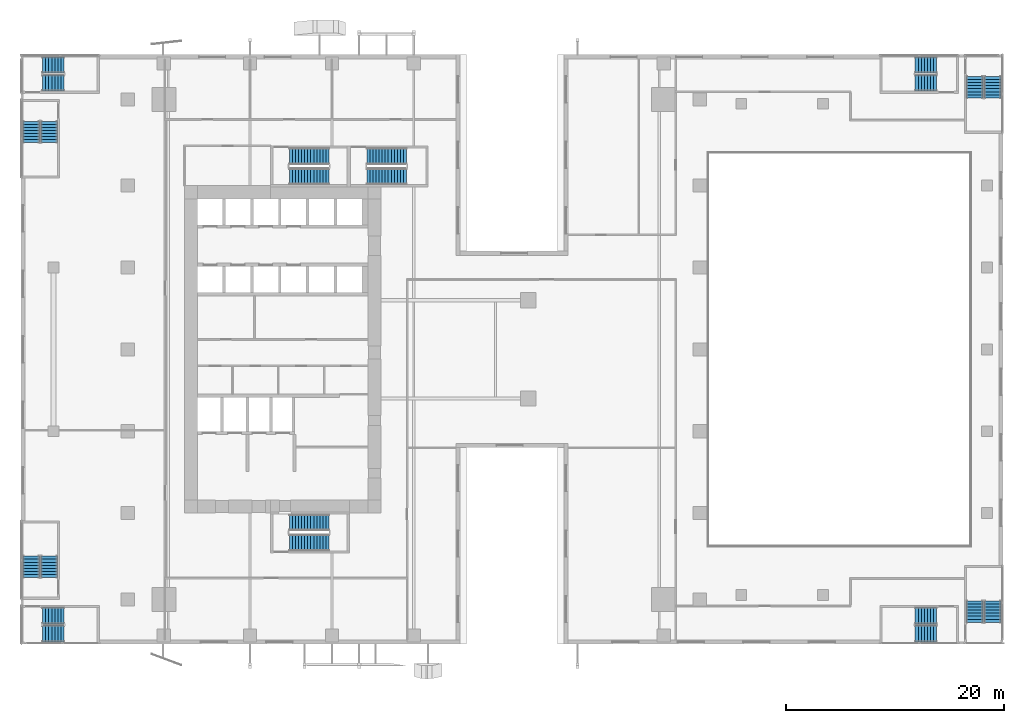
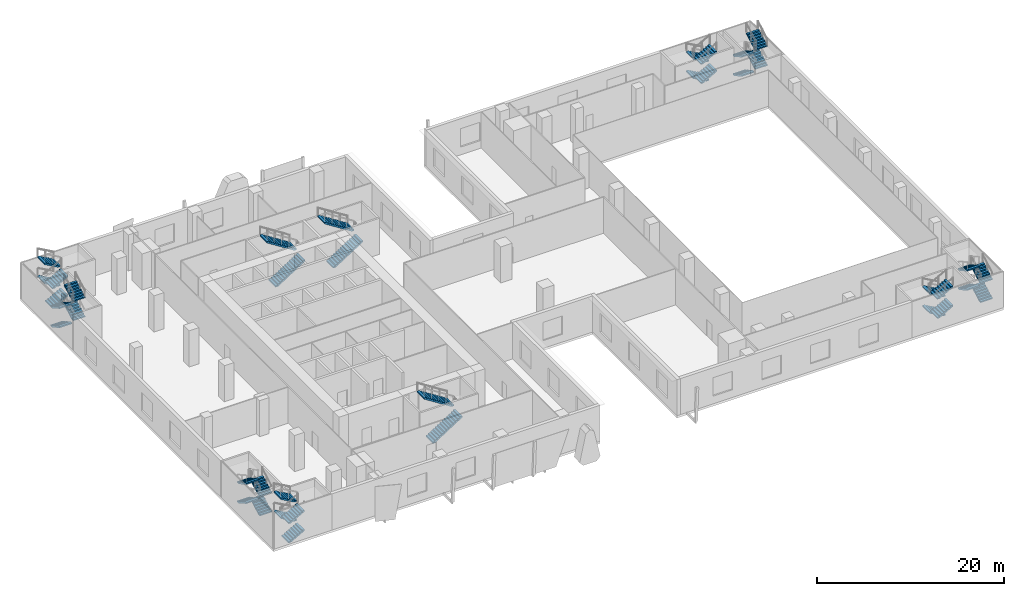
# One storey, part 15 of 22: 38 stair flights, 11 elements without a shape of their own.
"""IFC4 building model written with IfcOpenShell, lengths in metres."""

from ifc_helpers import new_model, si_unit, direction, frame, origin, place, context, subcontext, project, spatial, polyline, outline, extrude, source, transform, mapped, material, type_object, element, aggregate, save


model = new_model("IFC4")

# Units and contexts
model_context = context("Model", 3, precision=1e-05, world=origin(), true_north=direction((0.0, 1.0)))
body_context = subcontext(model_context, "Body", "Model", "MODEL_VIEW")
ifc_project = project(units=[si_unit("LENGTHUNIT", "METRE"), si_unit("AREAUNIT", "SQUARE_METRE"), si_unit("VOLUMEUNIT", "CUBIC_METRE"), si_unit("PLANEANGLEUNIT", "RADIAN"), si_unit("MASSUNIT", "GRAM", prefix="KILO")], contexts=[model_context])

# Site, building, storey
site_placement = place(None, origin())
site = spatial("IfcSite", under=ifc_project, at=site_placement, CompositionType="ELEMENT")
building_placement = place(site_placement, origin())
building = spatial("IfcBuilding", under=site, at=building_placement, Name="Khomas Fold Tower", CompositionType="ELEMENT")
storey_placement = place(building_placement, frame((0.0, 0.0, 23.5)))
storey = spatial("IfcBuildingStorey", under=building, at=storey_placement, Name="L04", CompositionType="ELEMENT", Elevation=23.5)

# Stair, stair flights
ifc_material_1 = material(Name="Concrete C40/50", Category="concrete")
stair_type_1 = type_object("IfcStairType", Name="Stair ST1", PredefinedType="HALF_TURN_STAIR", material=ifc_material_1)
stair_1_placement = place(storey_placement, origin())
stair_1 = element("IfcStair", 1, at=stair_1_placement, inside=storey, type_object=stair_type_1, Name="L04 ST1", PredefinedType="HALF_TURN_STAIR")
ifc_material_2 = material(Name="Concrete C40/50", Category="concrete")
stair_flight_type_1 = type_object("IfcStairFlightType", Name="Stair flight 1500 ST1", PredefinedType="STRAIGHT", material=ifc_material_2)
shared_shape_1 = source(origin(), body_context, "Body", "SweptSolid", [
    extrude(outline(polyline([(0.0, 0.0), (0.0, 0.013671875), (0.0, 0.027587890625), (0.0, 0.041259765625), (0.0, 0.054931640625), (0.0, 0.068603515625), (0.0, 0.08251953125), (0.0, 0.09619140625), (0.0, 0.10986328125), (0.0, 0.12353515625), (0.0, 0.137451171875), (0.0, 0.151123046875), (0.0, 0.164794921875), (0.0, 0.178466796875), (0.280029296875, 0.178466796875), (0.280029296875, 0.357177734375), (0.56005859375, 0.357177734375), (0.56005859375, 0.53564453125), (0.840087890625, 0.53564453125), (0.840087890625, 0.71435546875), (1.1201171875, 0.71435546875), (1.1201171875, 0.892822265625), (1.39990234375, 0.892822265625), (1.39990234375, 1.071533203125), (1.679931640625, 1.071533203125), (1.679931640625, 1.25), (1.9599609375, 1.25), (1.9599609375, 1.428466796875), (2.239990234375, 1.428466796875), (2.239990234375, 1.607177734375), (2.52001953125, 1.607177734375), (2.52001953125, 1.78564453125), (2.800048828125, 1.78564453125), (2.800048828125, 1.96435546875), (3.080078125, 1.96435546875), (3.080078125, 2.142822265625), (3.360107421875, 2.142822265625), (3.360107421875, 2.321533203125), (3.639892578125, 2.321533203125), (3.639892578125, 2.5), (3.639892578125, 2.47265625), (3.639892578125, 2.445068359375), (3.639892578125, 2.417724609375), (3.639892578125, 2.390380859375), (3.639892578125, 2.363037109375), (3.639892578125, 2.33544921875), (3.639892578125, 2.30810546875), (3.639892578125, 2.28076171875), (3.639892578125, 2.253173828125), (3.639892578125, 2.225830078125), (3.639892578125, 2.198486328125), (3.639892578125, 2.171142578125), (3.639892578125, 2.1435546875), (0.27880859375, 0.0), (0.0, 0.0)])), frame((0.0, 0.75, 0.0), z_axis=(0.0, -1.0, 0.0), x_axis=(1.0, 0.0, 0.0)), (0.0, 0.0, 1.0), 1.5),
])
stair_flight_1_placement = place(storey_placement, frame((15.60009765625, 42.85009765625, 0.0), z_axis=(0.0, 0.0, 1.0), x_axis=(1.0, 0.0, 0.0)))
stair_flight_1 = element("IfcStairFlight", 2, at=stair_flight_1_placement, type_object=stair_flight_type_1, Name="ST1 flight 1", NumberOfRisers=14, NumberOfTreads=13, PredefinedType="STRAIGHT", RiserHeight=0.178571429, TreadLength=0.28, context=body_context, shape_type="MappedRepresentation", body=[
    mapped(shared_shape_1, transform((0.0, 0.0, 0.0))),
])
stair_flight_2_placement = place(storey_placement, frame((19.239990234375, 44.699951171875, 2.5), z_axis=(0.0, 0.0, 1.0), x_axis=(-1.0, 0.0, 0.0)))
stair_flight_2 = element("IfcStairFlight", 3, at=stair_flight_2_placement, type_object=stair_flight_type_1, Name="ST1 flight 2", NumberOfRisers=14, NumberOfTreads=13, PredefinedType="STRAIGHT", RiserHeight=0.178571429, TreadLength=0.28, context=body_context, shape_type="MappedRepresentation", body=[
    mapped(shared_shape_1, transform((0.0, 0.0, 0.0))),
])
aggregate(stair_1, [stair_flight_1, stair_flight_2])

ifc_material_3 = material(Name="Concrete C40/50", Category="concrete")
stair_type_2 = type_object("IfcStairType", Name="Stair ST2", PredefinedType="HALF_TURN_STAIR", material=ifc_material_3)
stair_2_placement = place(storey_placement, origin())
stair_2 = element("IfcStair", 4, at=stair_2_placement, inside=storey, type_object=stair_type_2, Name="L04 ST2", PredefinedType="HALF_TURN_STAIR")
ifc_material_4 = material(Name="Concrete C40/50", Category="concrete")
stair_flight_type_2 = type_object("IfcStairFlightType", Name="Stair flight 1500 ST2", PredefinedType="STRAIGHT", material=ifc_material_4)
stair_flight_3_placement = place(storey_placement, frame((15.60009765625, 9.300048828125, 0.0), z_axis=(0.0, 0.0, 1.0), x_axis=(1.0, 0.0, 0.0)))
stair_flight_3 = element("IfcStairFlight", 5, at=stair_flight_3_placement, type_object=stair_flight_type_2, Name="ST2 flight 1", NumberOfRisers=14, NumberOfTreads=13, PredefinedType="STRAIGHT", RiserHeight=0.178571429, TreadLength=0.28, context=body_context, shape_type="MappedRepresentation", body=[
    mapped(shared_shape_1, transform((0.0, 0.0, 0.0))),
])
stair_flight_4_placement = place(storey_placement, frame((19.239990234375, 11.14990234375, 2.5), z_axis=(0.0, 0.0, 1.0), x_axis=(-1.0, 0.0, 0.0)))
stair_flight_4 = element("IfcStairFlight", 6, at=stair_flight_4_placement, type_object=stair_flight_type_2, Name="ST2 flight 2", NumberOfRisers=14, NumberOfTreads=13, PredefinedType="STRAIGHT", RiserHeight=0.178571429, TreadLength=0.28, context=body_context, shape_type="MappedRepresentation", body=[
    mapped(shared_shape_1, transform((0.0, 0.0, 0.0))),
])
aggregate(stair_2, [stair_flight_3, stair_flight_4])

ifc_material_5 = material(Name="Concrete C40/50", Category="concrete")
stair_type_3 = type_object("IfcStairType", Name="Stair ST3", PredefinedType="HALF_TURN_STAIR", material=ifc_material_5)
stair_3_placement = place(storey_placement, origin())
stair_3 = element("IfcStair", 7, at=stair_3_placement, inside=storey, type_object=stair_type_3, Name="L04 ST3", PredefinedType="HALF_TURN_STAIR")
ifc_material_6 = material(Name="Concrete C40/50", Category="concrete")
stair_flight_type_3 = type_object("IfcStairFlightType", Name="Stair flight 1500 ST3", PredefinedType="STRAIGHT", material=ifc_material_6)
stair_flight_5_placement = place(storey_placement, frame((22.699951171875, 42.85009765625, 0.0), z_axis=(0.0, 0.0, 1.0), x_axis=(1.0, 0.0, 0.0)))
stair_flight_5 = element("IfcStairFlight", 8, at=stair_flight_5_placement, type_object=stair_flight_type_3, Name="ST3 flight 1", NumberOfRisers=14, NumberOfTreads=13, PredefinedType="STRAIGHT", RiserHeight=0.178571429, TreadLength=0.28, context=body_context, shape_type="MappedRepresentation", body=[
    mapped(shared_shape_1, transform((0.0, 0.0, 0.0))),
])
stair_flight_6_placement = place(storey_placement, frame((26.340087890625, 44.699951171875, 2.5), z_axis=(0.0, 0.0, 1.0), x_axis=(-1.0, 0.0, 0.0)))
stair_flight_6 = element("IfcStairFlight", 9, at=stair_flight_6_placement, type_object=stair_flight_type_3, Name="ST3 flight 2", NumberOfRisers=14, NumberOfTreads=13, PredefinedType="STRAIGHT", RiserHeight=0.178571429, TreadLength=0.28, context=body_context, shape_type="MappedRepresentation", body=[
    mapped(shared_shape_1, transform((0.0, 0.0, 0.0))),
])
aggregate(stair_3, [stair_flight_5, stair_flight_6])

ifc_material_7 = material(Name="Concrete C40/50", Category="concrete")
stair_type_4 = type_object("IfcStairType", Name="Stair PS1", PredefinedType="HALF_TURN_STAIR", material=ifc_material_7)
stair_4_placement = place(storey_placement, origin())
stair_4 = element("IfcStair", 10, at=stair_4_placement, inside=storey, type_object=stair_type_4, Name="L04 PS1", PredefinedType="HALF_TURN_STAIR")
ifc_material_8 = material(Name="Concrete C40/50", Category="concrete")
stair_flight_type_4 = type_object("IfcStairFlightType", Name="Stair flight 1500 PS1", PredefinedType="STRAIGHT", material=ifc_material_8)
shared_shape_2 = source(origin(), body_context, "Body", "SweptSolid", [
    extrude(outline(polyline([(0.0, 0.0), (0.0, 0.001220703125), (0.0, 0.002685546875), (0.0, 0.00390625), (0.0, 0.005126953125), (0.0, 0.00634765625), (0.0, 0.0078125), (0.0, 0.009033203125), (0.0, 0.01025390625), (0.0, 0.01171875), (0.0, 0.012939453125), (0.0, 0.01416015625), (0.0, 0.015380859375), (0.0, 0.016845703125), (0.0, 0.01806640625), (0.0, 0.019287109375), (0.0, 0.020751953125), (0.0, 0.02197265625), (0.0, 0.023193359375), (0.0, 0.0244140625), (0.0, 0.02587890625), (0.0, 0.027099609375), (0.0, 0.0283203125), (0.0, 0.02978515625), (0.0, 0.031005859375), (0.0, 0.0322265625), (0.0, 0.03369140625), (0.0, 0.034912109375), (0.0, 0.0361328125), (0.0, 0.037353515625), (0.0, 0.038818359375), (0.0, 0.0400390625), (0.0, 0.041259765625), (0.0, 0.042724609375), (0.0, 0.0439453125), (0.0, 0.045166015625), (0.0, 0.04638671875), (0.0, 0.0478515625), (0.0, 0.049072265625), (0.0, 0.05029296875), (0.0, 0.0517578125), (0.0, 0.052978515625), (0.0, 0.05419921875), (0.0, 0.055419921875), (0.0, 0.056884765625), (0.0, 0.05810546875), (0.0, 0.059326171875), (0.0, 0.060791015625), (0.0, 0.06201171875), (0.0, 0.063232421875), (0.0, 0.064453125), (0.0, 0.06591796875), (0.0, 0.067138671875), (0.0, 0.068359375), (0.0, 0.06982421875), (0.0, 0.071044921875), (0.0, 0.072265625), (0.0, 0.073486328125), (0.0, 0.074951171875), (0.0, 0.076171875), (0.0, 0.077392578125), (0.0, 0.078857421875), (0.0, 0.080078125), (0.0, 0.081298828125), (0.0, 0.082763671875), (0.0, 0.083984375), (0.0, 0.085205078125), (0.0, 0.08642578125), (0.0, 0.087890625), (0.0, 0.089111328125), (0.0, 0.09033203125), (0.0, 0.091796875), (0.0, 0.093017578125), (0.0, 0.09423828125), (0.0, 0.095458984375), (0.0, 0.096923828125), (0.0, 0.09814453125), (0.0, 0.099365234375), (0.0, 0.100830078125), (0.0, 0.10205078125), (0.0, 0.103271484375), (0.0, 0.1044921875), (0.0, 0.10595703125), (0.0, 0.107177734375), (0.0, 0.1083984375), (0.0, 0.10986328125), (0.0, 0.111083984375), (0.0, 0.1123046875), (0.0, 0.113525390625), (0.0, 0.114990234375), (0.0, 0.1162109375), (0.0, 0.117431640625), (0.0, 0.118896484375), (0.0, 0.1201171875), (0.0, 0.121337890625), (0.0, 0.12255859375), (0.0, 0.1240234375), (0.0, 0.125244140625), (0.0, 0.12646484375), (0.0, 0.1279296875), (0.0, 0.129150390625), (0.0, 0.13037109375), (0.0, 0.1318359375), (0.0, 0.133056640625), (0.0, 0.13427734375), (0.0, 0.135498046875), (0.0, 0.136962890625), (0.0, 0.13818359375), (0.0, 0.139404296875), (0.0, 0.140869140625), (0.0, 0.14208984375), (0.0, 0.143310546875), (0.0, 0.14453125), (0.0, 0.14599609375), (0.0, 0.147216796875), (0.0, 0.1484375), (0.0, 0.14990234375), (0.0, 0.151123046875), (0.0, 0.15234375), (0.0, 0.153564453125), (0.0, 0.155029296875), (0.0, 0.15625), (0.280029296875, 0.15625), (0.280029296875, 0.3125), (0.56005859375, 0.3125), (0.56005859375, 0.46875), (0.840087890625, 0.46875), (0.840087890625, 0.625), (1.1201171875, 0.625), (1.1201171875, 0.78125), (1.39990234375, 0.78125), (1.39990234375, 0.9375), (1.679931640625, 0.9375), (1.679931640625, 1.09375), (1.9599609375, 1.09375), (1.9599609375, 1.25), (1.9599609375, 1.247314453125), (1.9599609375, 1.24462890625), (1.9599609375, 1.241943359375), (1.9599609375, 1.2392578125), (1.9599609375, 1.236328125), (1.9599609375, 1.233642578125), (1.9599609375, 1.23095703125), (1.9599609375, 1.228271484375), (1.9599609375, 1.2255859375), (1.9599609375, 1.222900390625), (1.9599609375, 1.22021484375), (1.9599609375, 1.217529296875), (1.9599609375, 1.21484375), (1.9599609375, 1.212158203125), (1.9599609375, 1.209228515625), (1.9599609375, 1.20654296875), (1.9599609375, 1.203857421875), (1.9599609375, 1.201171875), (1.9599609375, 1.198486328125), (1.9599609375, 1.19580078125), (1.9599609375, 1.193115234375), (1.9599609375, 1.1904296875), (1.9599609375, 1.187744140625), (1.9599609375, 1.18505859375), (1.9599609375, 1.18212890625), (1.9599609375, 1.179443359375), (1.9599609375, 1.1767578125), (1.9599609375, 1.174072265625), (1.9599609375, 1.17138671875), (1.9599609375, 1.168701171875), (1.9599609375, 1.166015625), (1.9599609375, 1.163330078125), (1.9599609375, 1.16064453125), (1.9599609375, 1.157958984375), (1.9599609375, 1.155029296875), (1.9599609375, 1.15234375), (1.9599609375, 1.149658203125), (1.9599609375, 1.14697265625), (1.9599609375, 1.144287109375), (1.9599609375, 1.1416015625), (1.9599609375, 1.138916015625), (1.9599609375, 1.13623046875), (1.9599609375, 1.133544921875), (1.9599609375, 1.130859375), (1.9599609375, 1.1279296875), (1.9599609375, 1.125244140625), (1.9599609375, 1.12255859375), (1.9599609375, 1.119873046875), (1.9599609375, 1.1171875), (1.9599609375, 1.114501953125), (1.9599609375, 1.11181640625), (1.9599609375, 1.109130859375), (1.9599609375, 1.1064453125), (1.9599609375, 1.103759765625), (1.9599609375, 1.100830078125), (1.9599609375, 1.09814453125), (1.9599609375, 1.095458984375), (1.9599609375, 1.0927734375), (1.9599609375, 1.090087890625), (1.9599609375, 1.08740234375), (1.9599609375, 1.084716796875), (1.9599609375, 1.08203125), (1.9599609375, 1.079345703125), (1.9599609375, 1.07666015625), (1.9599609375, 1.07373046875), (1.9599609375, 1.071044921875), (1.9599609375, 1.068359375), (1.9599609375, 1.065673828125), (1.9599609375, 1.06298828125), (1.9599609375, 1.060302734375), (1.9599609375, 1.0576171875), (1.9599609375, 1.054931640625), (1.9599609375, 1.05224609375), (1.9599609375, 1.049560546875), (1.9599609375, 1.046630859375), (1.9599609375, 1.0439453125), (1.9599609375, 1.041259765625), (1.9599609375, 1.03857421875), (1.9599609375, 1.035888671875), (1.9599609375, 1.033203125), (1.9599609375, 1.030517578125), (1.9599609375, 1.02783203125), (1.9599609375, 1.025146484375), (1.9599609375, 1.0224609375), (1.9599609375, 1.01953125), (1.9599609375, 1.016845703125), (1.9599609375, 1.01416015625), (1.9599609375, 1.011474609375), (1.9599609375, 1.0087890625), (1.9599609375, 1.006103515625), (1.9599609375, 1.00341796875), (1.9599609375, 1.000732421875), (1.9599609375, 0.998046875), (1.9599609375, 0.995361328125), (1.9599609375, 0.992431640625), (1.9599609375, 0.98974609375), (1.9599609375, 0.987060546875), (1.9599609375, 0.984375), (1.9599609375, 0.981689453125), (1.9599609375, 0.97900390625), (1.9599609375, 0.976318359375), (1.9599609375, 0.9736328125), (1.9599609375, 0.970947265625), (1.9599609375, 0.96826171875), (1.9599609375, 0.96533203125), (1.9599609375, 0.962646484375), (1.9599609375, 0.9599609375), (1.9599609375, 0.957275390625), (1.9599609375, 0.95458984375), (1.9599609375, 0.951904296875), (1.9599609375, 0.94921875), (1.9599609375, 0.946533203125), (1.9599609375, 0.94384765625), (1.9599609375, 0.941162109375), (1.9599609375, 0.938232421875), (1.9599609375, 0.935546875), (1.9599609375, 0.932861328125), (1.9599609375, 0.93017578125), (1.9599609375, 0.927490234375), (1.9599609375, 0.9248046875), (1.9599609375, 0.922119140625), (0.3076171875, 0.0), (0.0, 0.0)])), frame((0.0, 0.75, 0.0), z_axis=(0.0, -1.0, 0.0), x_axis=(1.0, 0.0, 0.0)), (0.0, 0.0, 1.0), 1.5),
])
stair_flight_7_placement = place(storey_placement, frame((-7.0, 0.949951171875, 0.0), z_axis=(0.0, 0.0, 1.0), x_axis=(1.0, 0.0, 0.0)))
stair_flight_7 = element("IfcStairFlight", 11, at=stair_flight_7_placement, type_object=stair_flight_type_4, Name="PS1 flight 1", NumberOfRisers=8, NumberOfTreads=7, PredefinedType="STRAIGHT", RiserHeight=0.15625, TreadLength=0.28, context=body_context, shape_type="MappedRepresentation", body=[
    mapped(shared_shape_2, transform((0.0, 0.0, 0.0))),
])
stair_flight_8_placement = place(storey_placement, frame((-5.0400390625, 2.60009765625, 1.25), z_axis=(0.0, 0.0, 1.0), x_axis=(-1.0, 0.0, 0.0)))
stair_flight_8 = element("IfcStairFlight", 12, at=stair_flight_8_placement, type_object=stair_flight_type_4, Name="PS1 flight 2", NumberOfRisers=8, NumberOfTreads=7, PredefinedType="STRAIGHT", RiserHeight=0.15625, TreadLength=0.28, context=body_context, shape_type="MappedRepresentation", body=[
    mapped(shared_shape_2, transform((0.0, 0.0, 0.0))),
])
stair_flight_9_placement = place(storey_placement, frame((-7.0, 0.949951171875, 2.5), z_axis=(0.0, 0.0, 1.0), x_axis=(1.0, 0.0, 0.0)))
stair_flight_9 = element("IfcStairFlight", 13, at=stair_flight_9_placement, type_object=stair_flight_type_4, Name="PS1 flight 3", NumberOfRisers=8, NumberOfTreads=7, PredefinedType="STRAIGHT", RiserHeight=0.15625, TreadLength=0.28, context=body_context, shape_type="MappedRepresentation", body=[
    mapped(shared_shape_2, transform((0.0, 0.0, 0.0))),
])
stair_flight_10_placement = place(storey_placement, frame((-5.0400390625, 2.60009765625, 3.75), z_axis=(0.0, 0.0, 1.0), x_axis=(-1.0, 0.0, 0.0)))
stair_flight_10 = element("IfcStairFlight", 14, at=stair_flight_10_placement, type_object=stair_flight_type_4, Name="PS1 flight 4", NumberOfRisers=8, NumberOfTreads=7, PredefinedType="STRAIGHT", RiserHeight=0.15625, TreadLength=0.28, context=body_context, shape_type="MappedRepresentation", body=[
    mapped(shared_shape_2, transform((0.0, 0.0, 0.0))),
])
aggregate(stair_4, [stair_flight_7, stair_flight_8, stair_flight_9, stair_flight_10])

ifc_material_9 = material(Name="Concrete C40/50", Category="concrete")
stair_type_5 = type_object("IfcStairType", Name="Stair PS2", PredefinedType="HALF_TURN_STAIR", material=ifc_material_9)
stair_5_placement = place(storey_placement, origin())
stair_5 = element("IfcStair", 15, at=stair_5_placement, inside=storey, type_object=stair_type_5, Name="L04 PS2", PredefinedType="HALF_TURN_STAIR")
ifc_material_10 = material(Name="Concrete C40/50", Category="concrete")
stair_flight_type_5 = type_object("IfcStairFlightType", Name="Stair flight 1500 PS2", PredefinedType="STRAIGHT", material=ifc_material_10)
stair_flight_11_placement = place(storey_placement, frame((-6.39990234375, 6.10009765625, 0.0), z_axis=(0.0, 0.0, 1.0), x_axis=(0.0, 1.0, 0.0)))
stair_flight_11 = element("IfcStairFlight", 16, at=stair_flight_11_placement, type_object=stair_flight_type_5, Name="PS2 flight 1", NumberOfRisers=8, NumberOfTreads=7, PredefinedType="STRAIGHT", RiserHeight=0.15625, TreadLength=0.28, context=body_context, shape_type="MappedRepresentation", body=[
    mapped(shared_shape_2, transform((0.0, 0.0, 0.0))),
])
stair_flight_12_placement = place(storey_placement, frame((-8.050048828125, 8.06005859375, 1.25), z_axis=(0.0, 0.0, 1.0), x_axis=(0.0, -1.0, 0.0)))
stair_flight_12 = element("IfcStairFlight", 17, at=stair_flight_12_placement, type_object=stair_flight_type_5, Name="PS2 flight 2", NumberOfRisers=8, NumberOfTreads=7, PredefinedType="STRAIGHT", RiserHeight=0.15625, TreadLength=0.28, context=body_context, shape_type="MappedRepresentation", body=[
    mapped(shared_shape_2, transform((0.0, 0.0, 0.0))),
])
stair_flight_13_placement = place(storey_placement, frame((-6.39990234375, 6.10009765625, 2.5), z_axis=(0.0, 0.0, 1.0), x_axis=(0.0, 1.0, 0.0)))
stair_flight_13 = element("IfcStairFlight", 18, at=stair_flight_13_placement, type_object=stair_flight_type_5, Name="PS2 flight 3", NumberOfRisers=8, NumberOfTreads=7, PredefinedType="STRAIGHT", RiserHeight=0.15625, TreadLength=0.28, context=body_context, shape_type="MappedRepresentation", body=[
    mapped(shared_shape_2, transform((0.0, 0.0, 0.0))),
])
stair_flight_14_placement = place(storey_placement, frame((-8.050048828125, 8.06005859375, 3.75), z_axis=(0.0, 0.0, 1.0), x_axis=(0.0, -1.0, 0.0)))
stair_flight_14 = element("IfcStairFlight", 19, at=stair_flight_14_placement, type_object=stair_flight_type_5, Name="PS2 flight 4", NumberOfRisers=8, NumberOfTreads=7, PredefinedType="STRAIGHT", RiserHeight=0.15625, TreadLength=0.28, context=body_context, shape_type="MappedRepresentation", body=[
    mapped(shared_shape_2, transform((0.0, 0.0, 0.0))),
])
aggregate(stair_5, [stair_flight_11, stair_flight_12, stair_flight_13, stair_flight_14])

ifc_material_11 = material(Name="Concrete C40/50", Category="concrete")
stair_type_6 = type_object("IfcStairType", Name="Stair PS3", PredefinedType="HALF_TURN_STAIR", material=ifc_material_11)
stair_6_placement = place(storey_placement, origin())
stair_6 = element("IfcStair", 20, at=stair_6_placement, inside=storey, type_object=stair_type_6, Name="L04 PS3", PredefinedType="HALF_TURN_STAIR")
ifc_material_12 = material(Name="Concrete C40/50", Category="concrete")
stair_flight_type_6 = type_object("IfcStairFlightType", Name="Stair flight 1500 PS3", PredefinedType="STRAIGHT", material=ifc_material_12)
stair_flight_15_placement = place(storey_placement, frame((74.89990234375, 2.60009765625, 0.0), z_axis=(0.0, 0.0, 1.0), x_axis=(-1.0, 0.0, 0.0)))
stair_flight_15 = element("IfcStairFlight", 21, at=stair_flight_15_placement, type_object=stair_flight_type_6, Name="PS3 flight 1", NumberOfRisers=8, NumberOfTreads=7, PredefinedType="STRAIGHT", RiserHeight=0.15625, TreadLength=0.28, context=body_context, shape_type="MappedRepresentation", body=[
    mapped(shared_shape_2, transform((0.0, 0.0, 0.0))),
])
stair_flight_16_placement = place(storey_placement, frame((72.93994140625, 0.949951171875, 1.25), z_axis=(0.0, 0.0, 1.0), x_axis=(1.0, 0.0, 0.0)))
stair_flight_16 = element("IfcStairFlight", 22, at=stair_flight_16_placement, type_object=stair_flight_type_6, Name="PS3 flight 2", NumberOfRisers=8, NumberOfTreads=7, PredefinedType="STRAIGHT", RiserHeight=0.15625, TreadLength=0.28, context=body_context, shape_type="MappedRepresentation", body=[
    mapped(shared_shape_2, transform((0.0, 0.0, 0.0))),
])
stair_flight_17_placement = place(storey_placement, frame((74.89990234375, 2.60009765625, 2.5), z_axis=(0.0, 0.0, 1.0), x_axis=(-1.0, 0.0, 0.0)))
stair_flight_17 = element("IfcStairFlight", 23, at=stair_flight_17_placement, type_object=stair_flight_type_6, Name="PS3 flight 3", NumberOfRisers=8, NumberOfTreads=7, PredefinedType="STRAIGHT", RiserHeight=0.15625, TreadLength=0.28, context=body_context, shape_type="MappedRepresentation", body=[
    mapped(shared_shape_2, transform((0.0, 0.0, 0.0))),
])
stair_flight_18_placement = place(storey_placement, frame((72.93994140625, 0.949951171875, 3.75), z_axis=(0.0, 0.0, 1.0), x_axis=(1.0, 0.0, 0.0)))
stair_flight_18 = element("IfcStairFlight", 24, at=stair_flight_18_placement, type_object=stair_flight_type_6, Name="PS3 flight 4", NumberOfRisers=8, NumberOfTreads=7, PredefinedType="STRAIGHT", RiserHeight=0.15625, TreadLength=0.28, context=body_context, shape_type="MappedRepresentation", body=[
    mapped(shared_shape_2, transform((0.0, 0.0, 0.0))),
])
aggregate(stair_6, [stair_flight_15, stair_flight_16, stair_flight_17, stair_flight_18])

ifc_material_13 = material(Name="Concrete C40/50", Category="concrete")
stair_type_7 = type_object("IfcStairType", Name="Stair PS4", PredefinedType="HALF_TURN_STAIR", material=ifc_material_13)
stair_7_placement = place(storey_placement, origin())
stair_7 = element("IfcStair", 25, at=stair_7_placement, inside=storey, type_object=stair_type_7, Name="L04 PS4", PredefinedType="HALF_TURN_STAIR")
ifc_material_14 = material(Name="Concrete C40/50", Category="concrete")
stair_flight_type_7 = type_object("IfcStairFlightType", Name="Stair flight 1500 PS4", PredefinedType="STRAIGHT", material=ifc_material_14)
stair_flight_19_placement = place(storey_placement, frame((80.050048828125, 2.0, 0.0), z_axis=(0.0, 0.0, 1.0), x_axis=(0.0, 1.0, 0.0)))
stair_flight_19 = element("IfcStairFlight", 26, at=stair_flight_19_placement, type_object=stair_flight_type_7, Name="PS4 flight 1", NumberOfRisers=8, NumberOfTreads=7, PredefinedType="STRAIGHT", RiserHeight=0.15625, TreadLength=0.28, context=body_context, shape_type="MappedRepresentation", body=[
    mapped(shared_shape_2, transform((0.0, 0.0, 0.0))),
])
stair_flight_20_placement = place(storey_placement, frame((78.39990234375, 3.9599609375, 1.25), z_axis=(0.0, 0.0, 1.0), x_axis=(0.0, -1.0, 0.0)))
stair_flight_20 = element("IfcStairFlight", 27, at=stair_flight_20_placement, type_object=stair_flight_type_7, Name="PS4 flight 2", NumberOfRisers=8, NumberOfTreads=7, PredefinedType="STRAIGHT", RiserHeight=0.15625, TreadLength=0.28, context=body_context, shape_type="MappedRepresentation", body=[
    mapped(shared_shape_2, transform((0.0, 0.0, 0.0))),
])
stair_flight_21_placement = place(storey_placement, frame((80.050048828125, 2.0, 2.5), z_axis=(0.0, 0.0, 1.0), x_axis=(0.0, 1.0, 0.0)))
stair_flight_21 = element("IfcStairFlight", 28, at=stair_flight_21_placement, type_object=stair_flight_type_7, Name="PS4 flight 3", NumberOfRisers=8, NumberOfTreads=7, PredefinedType="STRAIGHT", RiserHeight=0.15625, TreadLength=0.28, context=body_context, shape_type="MappedRepresentation", body=[
    mapped(shared_shape_2, transform((0.0, 0.0, 0.0))),
])
stair_flight_22_placement = place(storey_placement, frame((78.39990234375, 3.9599609375, 3.75), z_axis=(0.0, 0.0, 1.0), x_axis=(0.0, -1.0, 0.0)))
stair_flight_22 = element("IfcStairFlight", 29, at=stair_flight_22_placement, type_object=stair_flight_type_7, Name="PS4 flight 4", NumberOfRisers=8, NumberOfTreads=7, PredefinedType="STRAIGHT", RiserHeight=0.15625, TreadLength=0.28, context=body_context, shape_type="MappedRepresentation", body=[
    mapped(shared_shape_2, transform((0.0, 0.0, 0.0))),
])
aggregate(stair_7, [stair_flight_19, stair_flight_20, stair_flight_21, stair_flight_22])

ifc_material_15 = material(Name="Concrete C40/50", Category="concrete")
stair_type_8 = type_object("IfcStairType", Name="Stair PS5", PredefinedType="HALF_TURN_STAIR", material=ifc_material_15)
stair_8_placement = place(storey_placement, origin())
stair_8 = element("IfcStair", 30, at=stair_8_placement, inside=storey, type_object=stair_type_8, Name="L04 PS5", PredefinedType="HALF_TURN_STAIR")
ifc_material_16 = material(Name="Concrete C40/50", Category="concrete")
stair_flight_type_8 = type_object("IfcStairFlightType", Name="Stair flight 1500 PS5", PredefinedType="STRAIGHT", material=ifc_material_16)
stair_flight_23_placement = place(storey_placement, frame((74.89990234375, 53.050048828125, 0.0), z_axis=(0.0, 0.0, 1.0), x_axis=(-1.0, 0.0, 0.0)))
stair_flight_23 = element("IfcStairFlight", 31, at=stair_flight_23_placement, type_object=stair_flight_type_8, Name="PS5 flight 1", NumberOfRisers=8, NumberOfTreads=7, PredefinedType="STRAIGHT", RiserHeight=0.15625, TreadLength=0.28, context=body_context, shape_type="MappedRepresentation", body=[
    mapped(shared_shape_2, transform((0.0, 0.0, 0.0))),
])
stair_flight_24_placement = place(storey_placement, frame((72.93994140625, 51.39990234375, 1.25), z_axis=(0.0, 0.0, 1.0), x_axis=(1.0, 0.0, 0.0)))
stair_flight_24 = element("IfcStairFlight", 32, at=stair_flight_24_placement, type_object=stair_flight_type_8, Name="PS5 flight 2", NumberOfRisers=8, NumberOfTreads=7, PredefinedType="STRAIGHT", RiserHeight=0.15625, TreadLength=0.28, context=body_context, shape_type="MappedRepresentation", body=[
    mapped(shared_shape_2, transform((0.0, 0.0, 0.0))),
])
stair_flight_25_placement = place(storey_placement, frame((74.89990234375, 53.050048828125, 2.5), z_axis=(0.0, 0.0, 1.0), x_axis=(-1.0, 0.0, 0.0)))
stair_flight_25 = element("IfcStairFlight", 33, at=stair_flight_25_placement, type_object=stair_flight_type_8, Name="PS5 flight 3", NumberOfRisers=8, NumberOfTreads=7, PredefinedType="STRAIGHT", RiserHeight=0.15625, TreadLength=0.28, context=body_context, shape_type="MappedRepresentation", body=[
    mapped(shared_shape_2, transform((0.0, 0.0, 0.0))),
])
stair_flight_26_placement = place(storey_placement, frame((72.93994140625, 51.39990234375, 3.75), z_axis=(0.0, 0.0, 1.0), x_axis=(1.0, 0.0, 0.0)))
stair_flight_26 = element("IfcStairFlight", 34, at=stair_flight_26_placement, type_object=stair_flight_type_8, Name="PS5 flight 4", NumberOfRisers=8, NumberOfTreads=7, PredefinedType="STRAIGHT", RiserHeight=0.15625, TreadLength=0.28, context=body_context, shape_type="MappedRepresentation", body=[
    mapped(shared_shape_2, transform((0.0, 0.0, 0.0))),
])
aggregate(stair_8, [stair_flight_23, stair_flight_24, stair_flight_25, stair_flight_26])

ifc_material_17 = material(Name="Concrete C40/50", Category="concrete")
stair_type_9 = type_object("IfcStairType", Name="Stair PS6", PredefinedType="HALF_TURN_STAIR", material=ifc_material_17)
stair_9_placement = place(storey_placement, origin())
stair_9 = element("IfcStair", 35, at=stair_9_placement, inside=storey, type_object=stair_type_9, Name="L04 PS6", PredefinedType="HALF_TURN_STAIR")
ifc_material_18 = material(Name="Concrete C40/50", Category="concrete")
stair_flight_type_9 = type_object("IfcStairFlightType", Name="Stair flight 1500 PS6", PredefinedType="STRAIGHT", material=ifc_material_18)
stair_flight_27_placement = place(storey_placement, frame((78.39990234375, 52.0, 0.0), z_axis=(0.0, 0.0, 1.0), x_axis=(0.0, -1.0, 0.0)))
stair_flight_27 = element("IfcStairFlight", 36, at=stair_flight_27_placement, type_object=stair_flight_type_9, Name="PS6 flight 1", NumberOfRisers=8, NumberOfTreads=7, PredefinedType="STRAIGHT", RiserHeight=0.15625, TreadLength=0.28, context=body_context, shape_type="MappedRepresentation", body=[
    mapped(shared_shape_2, transform((0.0, 0.0, 0.0))),
])
stair_flight_28_placement = place(storey_placement, frame((80.050048828125, 50.0400390625, 1.25), z_axis=(0.0, 0.0, 1.0), x_axis=(0.0, 1.0, 0.0)))
stair_flight_28 = element("IfcStairFlight", 37, at=stair_flight_28_placement, type_object=stair_flight_type_9, Name="PS6 flight 2", NumberOfRisers=8, NumberOfTreads=7, PredefinedType="STRAIGHT", RiserHeight=0.15625, TreadLength=0.28, context=body_context, shape_type="MappedRepresentation", body=[
    mapped(shared_shape_2, transform((0.0, 0.0, 0.0))),
])
stair_flight_29_placement = place(storey_placement, frame((78.39990234375, 52.0, 2.5), z_axis=(0.0, 0.0, 1.0), x_axis=(0.0, -1.0, 0.0)))
stair_flight_29 = element("IfcStairFlight", 38, at=stair_flight_29_placement, type_object=stair_flight_type_9, Name="PS6 flight 3", NumberOfRisers=8, NumberOfTreads=7, PredefinedType="STRAIGHT", RiserHeight=0.15625, TreadLength=0.28, context=body_context, shape_type="MappedRepresentation", body=[
    mapped(shared_shape_2, transform((0.0, 0.0, 0.0))),
])
stair_flight_30_placement = place(storey_placement, frame((80.050048828125, 50.0400390625, 3.75), z_axis=(0.0, 0.0, 1.0), x_axis=(0.0, 1.0, 0.0)))
stair_flight_30 = element("IfcStairFlight", 39, at=stair_flight_30_placement, type_object=stair_flight_type_9, Name="PS6 flight 4", NumberOfRisers=8, NumberOfTreads=7, PredefinedType="STRAIGHT", RiserHeight=0.15625, TreadLength=0.28, context=body_context, shape_type="MappedRepresentation", body=[
    mapped(shared_shape_2, transform((0.0, 0.0, 0.0))),
])
aggregate(stair_9, [stair_flight_27, stair_flight_28, stair_flight_29, stair_flight_30])

ifc_material_19 = material(Name="Concrete C40/50", Category="concrete")
stair_type_10 = type_object("IfcStairType", Name="Stair PS7", PredefinedType="HALF_TURN_STAIR", material=ifc_material_19)
stair_10_placement = place(storey_placement, origin())
stair_10 = element("IfcStair", 40, at=stair_10_placement, inside=storey, type_object=stair_type_10, Name="L04 PS7", PredefinedType="HALF_TURN_STAIR")
ifc_material_20 = material(Name="Concrete C40/50", Category="concrete")
stair_flight_type_10 = type_object("IfcStairFlightType", Name="Stair flight 1500 PS7", PredefinedType="STRAIGHT", material=ifc_material_20)
stair_flight_31_placement = place(storey_placement, frame((-7.0, 51.39990234375, 0.0), z_axis=(0.0, 0.0, 1.0), x_axis=(1.0, 0.0, 0.0)))
stair_flight_31 = element("IfcStairFlight", 41, at=stair_flight_31_placement, type_object=stair_flight_type_10, Name="PS7 flight 1", NumberOfRisers=8, NumberOfTreads=7, PredefinedType="STRAIGHT", RiserHeight=0.15625, TreadLength=0.28, context=body_context, shape_type="MappedRepresentation", body=[
    mapped(shared_shape_2, transform((0.0, 0.0, 0.0))),
])
stair_flight_32_placement = place(storey_placement, frame((-5.0400390625, 53.050048828125, 1.25), z_axis=(0.0, 0.0, 1.0), x_axis=(-1.0, 0.0, 0.0)))
stair_flight_32 = element("IfcStairFlight", 42, at=stair_flight_32_placement, type_object=stair_flight_type_10, Name="PS7 flight 2", NumberOfRisers=8, NumberOfTreads=7, PredefinedType="STRAIGHT", RiserHeight=0.15625, TreadLength=0.28, context=body_context, shape_type="MappedRepresentation", body=[
    mapped(shared_shape_2, transform((0.0, 0.0, 0.0))),
])
stair_flight_33_placement = place(storey_placement, frame((-7.0, 51.39990234375, 2.5), z_axis=(0.0, 0.0, 1.0), x_axis=(1.0, 0.0, 0.0)))
stair_flight_33 = element("IfcStairFlight", 43, at=stair_flight_33_placement, type_object=stair_flight_type_10, Name="PS7 flight 3", NumberOfRisers=8, NumberOfTreads=7, PredefinedType="STRAIGHT", RiserHeight=0.15625, TreadLength=0.28, context=body_context, shape_type="MappedRepresentation", body=[
    mapped(shared_shape_2, transform((0.0, 0.0, 0.0))),
])
stair_flight_34_placement = place(storey_placement, frame((-5.0400390625, 53.050048828125, 3.75), z_axis=(0.0, 0.0, 1.0), x_axis=(-1.0, 0.0, 0.0)))
stair_flight_34 = element("IfcStairFlight", 44, at=stair_flight_34_placement, type_object=stair_flight_type_10, Name="PS7 flight 4", NumberOfRisers=8, NumberOfTreads=7, PredefinedType="STRAIGHT", RiserHeight=0.15625, TreadLength=0.28, context=body_context, shape_type="MappedRepresentation", body=[
    mapped(shared_shape_2, transform((0.0, 0.0, 0.0))),
])
aggregate(stair_10, [stair_flight_31, stair_flight_32, stair_flight_33, stair_flight_34])

ifc_material_21 = material(Name="Concrete C40/50", Category="concrete")
stair_type_11 = type_object("IfcStairType", Name="Stair PS8", PredefinedType="HALF_TURN_STAIR", material=ifc_material_21)
stair_11_placement = place(storey_placement, origin())
stair_11 = element("IfcStair", 45, at=stair_11_placement, inside=storey, type_object=stair_type_11, Name="L04 PS8", PredefinedType="HALF_TURN_STAIR")
ifc_material_22 = material(Name="Concrete C40/50", Category="concrete")
stair_flight_type_11 = type_object("IfcStairFlightType", Name="Stair flight 1500 PS8", PredefinedType="STRAIGHT", material=ifc_material_22)
stair_flight_35_placement = place(storey_placement, frame((-8.050048828125, 47.89990234375, 0.0), z_axis=(0.0, 0.0, 1.0), x_axis=(0.0, -1.0, 0.0)))
stair_flight_35 = element("IfcStairFlight", 46, at=stair_flight_35_placement, type_object=stair_flight_type_11, Name="PS8 flight 1", NumberOfRisers=8, NumberOfTreads=7, PredefinedType="STRAIGHT", RiserHeight=0.15625, TreadLength=0.28, context=body_context, shape_type="MappedRepresentation", body=[
    mapped(shared_shape_2, transform((0.0, 0.0, 0.0))),
])
stair_flight_36_placement = place(storey_placement, frame((-6.39990234375, 45.93994140625, 1.25), z_axis=(0.0, 0.0, 1.0), x_axis=(0.0, 1.0, 0.0)))
stair_flight_36 = element("IfcStairFlight", 47, at=stair_flight_36_placement, type_object=stair_flight_type_11, Name="PS8 flight 2", NumberOfRisers=8, NumberOfTreads=7, PredefinedType="STRAIGHT", RiserHeight=0.15625, TreadLength=0.28, context=body_context, shape_type="MappedRepresentation", body=[
    mapped(shared_shape_2, transform((0.0, 0.0, 0.0))),
])
stair_flight_37_placement = place(storey_placement, frame((-8.050048828125, 47.89990234375, 2.5), z_axis=(0.0, 0.0, 1.0), x_axis=(0.0, -1.0, 0.0)))
stair_flight_37 = element("IfcStairFlight", 48, at=stair_flight_37_placement, type_object=stair_flight_type_11, Name="PS8 flight 3", NumberOfRisers=8, NumberOfTreads=7, PredefinedType="STRAIGHT", RiserHeight=0.15625, TreadLength=0.28, context=body_context, shape_type="MappedRepresentation", body=[
    mapped(shared_shape_2, transform((0.0, 0.0, 0.0))),
])
stair_flight_38_placement = place(storey_placement, frame((-6.39990234375, 45.93994140625, 3.75), z_axis=(0.0, 0.0, 1.0), x_axis=(0.0, 1.0, 0.0)))
stair_flight_38 = element("IfcStairFlight", 49, at=stair_flight_38_placement, type_object=stair_flight_type_11, Name="PS8 flight 4", NumberOfRisers=8, NumberOfTreads=7, PredefinedType="STRAIGHT", RiserHeight=0.15625, TreadLength=0.28, context=body_context, shape_type="MappedRepresentation", body=[
    mapped(shared_shape_2, transform((0.0, 0.0, 0.0))),
])
aggregate(stair_11, [stair_flight_35, stair_flight_36, stair_flight_37, stair_flight_38])

save(model, "model.ifc")
